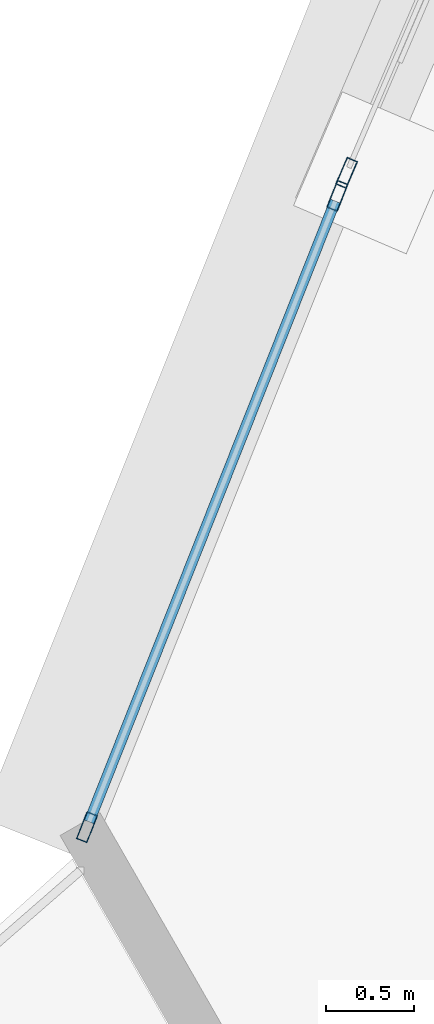
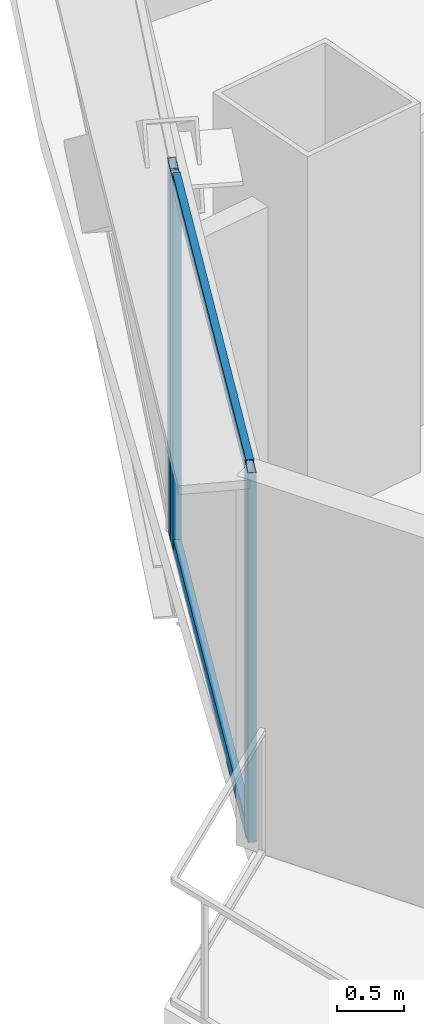
# One storey, part 4 of 37: 5 members, 2 elements without a shape of their own.
"""IFC4 building model written with IfcOpenShell, lengths in metres."""

from ifc_helpers import new_model, si_unit, direction, frame, origin, origin_2d, place, context, subcontext, project, spatial, hollow_rectangle, extrude, source, transform, mapped, material, layer, layer_set, material_profile, profile_set, type_object, element, aggregate, save


model = new_model("IFC4")

# Units and contexts
model_context = context("Model", 3, precision=1e-05, world=origin(), true_north=direction((0.0, 1.0)))
body_context = subcontext(model_context, "Body", "Model", "MODEL_VIEW")
ifc_project = project(units=[si_unit("LENGTHUNIT", "METRE"), si_unit("AREAUNIT", "SQUARE_METRE"), si_unit("VOLUMEUNIT", "CUBIC_METRE"), si_unit("PLANEANGLEUNIT", "RADIAN"), si_unit("MASSUNIT", "GRAM", prefix="KILO"), si_unit("THERMODYNAMICTEMPERATUREUNIT", "KELVIN"), si_unit("POWERUNIT", "WATT")], contexts=[model_context])

# Site, building, storey
site_placement = place(None, origin())
site = spatial("IfcSite", under=ifc_project, at=site_placement, CompositionType="ELEMENT")
building_placement = place(site_placement, origin())
building = spatial("IfcBuilding", under=site, at=building_placement, Name="Yunzhuo Pagoda Commons", CompositionType="ELEMENT")
storey_placement = place(building_placement, frame((0.0, 0.0, 59.43994140625)))
storey = spatial("IfcBuildingStorey", under=building, at=storey_placement, Name="L15", CompositionType="ELEMENT", Elevation=59.43994140625)

# Curtain wall, member
ifc_material = material(Name="Anodized aluminium 6063-T6", Category="aluminium")
ifc_layer = layer(ifc_material, 0.1650390625)
ifc_layer_set = layer_set([ifc_layer], Name="Anodized aluminium 6063-T6")
curtain_wall_type = type_object("IfcCurtainWallType", Name="CW-LOW Low-Zone Ribbon Curtain Wall", PredefinedType="NOTDEFINED", material=ifc_layer_set)
curtain_wall_1_placement = place(storey_placement, origin())
curtain_wall_1 = element("IfcCurtainWall", 1, at=curtain_wall_1_placement, inside=storey, type_object=curtain_wall_type, Name="L15 curtain wall CW-L15-F3B4", PredefinedType="NOTDEFINED")
ifc_material_profile_1 = material_profile(ifc_material, hollow_rectangle(XDim=0.06494140625, YDim=0.1650390625, WallThickness=0.00390625, at=origin_2d()), Name="Anodized aluminium 6063-T6")
ifc_profile_set_1 = profile_set([ifc_material_profile_1], Name="Anodized aluminium 6063-T6")
member_type_1 = type_object("IfcMemberType", Name="CW-LOW-M Mullion RHS 165x65x4", PredefinedType="MULLION", material=ifc_profile_set_1)
shared_shape_1 = source(origin(), body_context, "Body", "SweptSolid", [
    extrude(hollow_rectangle(XDim=0.06494140625, YDim=0.1650390625, WallThickness=0.00390625, at=origin_2d()), origin(), (0.0, 0.0, 1.0), 3.3701171875),
])
member_1_placement = place(storey_placement, frame((6.59228515625, 26.426513671875, 0.0), z_axis=(0.0, 0.0, 1.0), x_axis=(0.918993139703, -0.394273520769, 0.0)))
member_1 = element("IfcMember", 2, at=member_1_placement, type_object=member_type_1, Name="CW mullion 2", PredefinedType="MULLION", context=body_context, shape_type="MappedRepresentation", body=[
    mapped(shared_shape_1, transform((0.0, 0.0, 0.0), scale=1.0)),
])
aggregate(curtain_wall_1, [member_1])

# Curtain wall, members
curtain_wall_2_placement = place(storey_placement, origin())
curtain_wall_2 = element("IfcCurtainWall", 3, at=curtain_wall_2_placement, inside=storey, type_object=curtain_wall_type, Name="L15 curtain wall CW-L15-F3B5", PredefinedType="NOTDEFINED")
member_2_placement = place(storey_placement, frame((6.539794921875, 26.29638671875, 0.0), z_axis=(0.0, 0.0, 1.0), x_axis=(0.929582438104, -0.368614284542, 0.0)))
member_2 = element("IfcMember", 4, at=member_2_placement, type_object=member_type_1, Name="CW mullion 1", PredefinedType="MULLION", context=body_context, shape_type="MappedRepresentation", body=[
    mapped(shared_shape_1, transform((0.0, 0.0, 0.0), scale=1.0)),
])
member_3_placement = place(storey_placement, frame((5.123046875, 22.7236328125, 0.0), z_axis=(0.0, 0.0, 1.0), x_axis=(0.929582438104, -0.368614284542, 0.0)))
member_3 = element("IfcMember", 5, at=member_3_placement, type_object=member_type_1, Name="CW mullion 2", PredefinedType="MULLION", context=body_context, shape_type="MappedRepresentation", body=[
    mapped(shared_shape_1, transform((0.0, 0.0, 0.0), scale=1.0)),
])
ifc_material_profile_2 = material_profile(ifc_material, hollow_rectangle(XDim=0.06005859375, YDim=0.139892578125, WallThickness=0.00341796875, at=origin_2d()), Name="Anodized aluminium 6063-T6")
ifc_profile_set_2 = profile_set([ifc_material_profile_2], Name="Anodized aluminium 6063-T6")
member_type_2 = type_object("IfcMemberType", Name="CW-LOW-T Transom RHS 140x60x3.5", PredefinedType="USERDEFINED", material=ifc_profile_set_2)
shared_shape_2 = source(origin(), body_context, "Body", "SweptSolid", [
    extrude(hollow_rectangle(XDim=0.06005859375, YDim=0.139892578125, WallThickness=0.00341796875, at=origin_2d()), origin(), (0.0, 0.0, 1.0), 3.778564453125),
])
member_4_placement = place(storey_placement, frame((6.52783203125, 26.266357421875, 0.030029296875), z_axis=(-0.368615131288, -0.929582102337, 0.0), x_axis=(0.929582102337, -0.368615131288, 0.0)))
member_4 = element("IfcMember", 6, at=member_4_placement, type_object=member_type_2, Name="CW transom 1.1", ObjectType="TRANSOM", PredefinedType="USERDEFINED", context=body_context, shape_type="MappedRepresentation", body=[
    mapped(shared_shape_2, transform((0.0, 0.0, 0.0), scale=1.0)),
])
member_5_placement = place(storey_placement, frame((6.52783203125, 26.266357421875, 3.340087890625), z_axis=(-0.368615131288, -0.929582102337, 0.0), x_axis=(0.929582102337, -0.368615131288, 0.0)))
member_5 = element("IfcMember", 7, at=member_5_placement, type_object=member_type_2, Name="CW transom 1.2", ObjectType="TRANSOM", PredefinedType="USERDEFINED", context=body_context, shape_type="MappedRepresentation", body=[
    mapped(shared_shape_2, transform((0.0, 0.0, 0.0), scale=1.0)),
])
aggregate(curtain_wall_2, [member_2, member_3, member_4, member_5])

save(model, "model.ifc")
